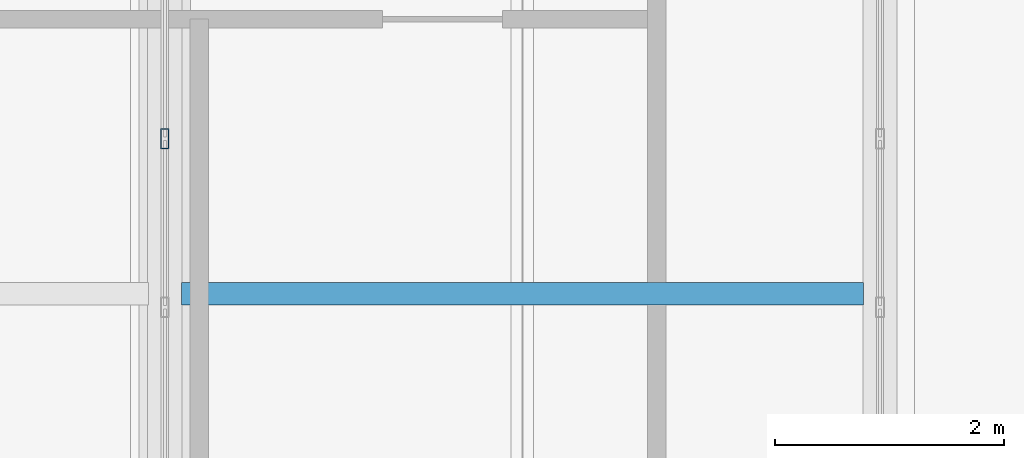
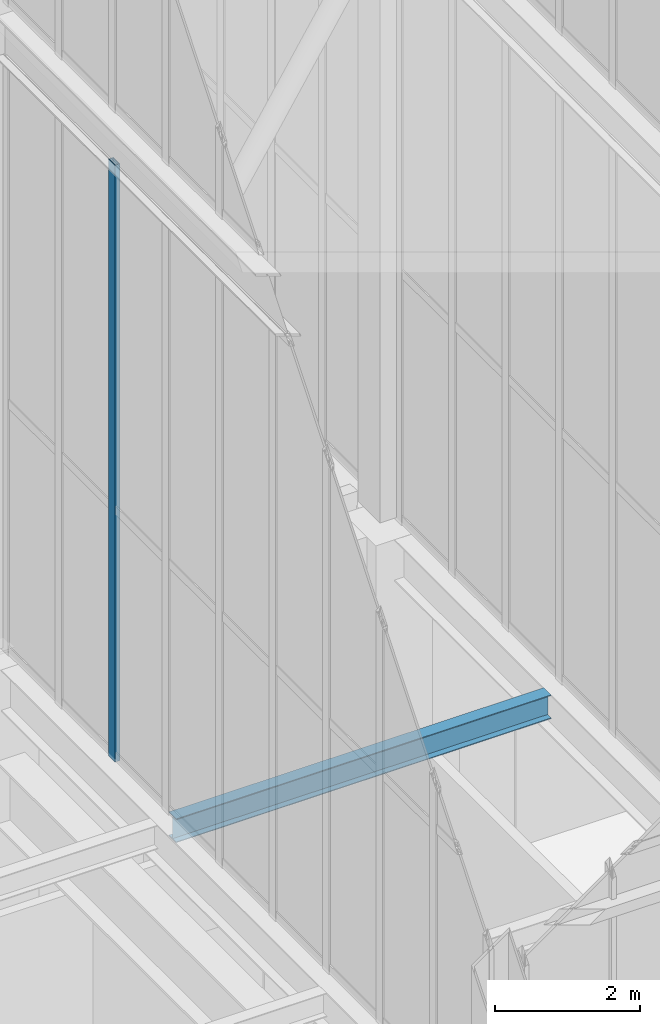
# One storey, part 66 of 135: 1 beam, 1 member, 1 element without a shape of its own.
"""IFC4 building model written with IfcOpenShell, lengths in metres."""

from ifc_helpers import new_model, si_unit, direction, frame, origin, origin_2d, place, context, subcontext, project, spatial, hollow_rectangle, i_section, extrude, source, transform, mapped, material, layer, layer_set, material_profile, profile_set, type_object, element, aggregate, save


model = new_model("IFC4")

# Units and contexts
model_context = context("Model", 3, precision=1e-05, world=origin(), true_north=direction((0.0, 1.0)))
body_context = subcontext(model_context, "Body", "Model", "MODEL_VIEW")
ifc_project = project(units=[si_unit("LENGTHUNIT", "METRE"), si_unit("AREAUNIT", "SQUARE_METRE"), si_unit("VOLUMEUNIT", "CUBIC_METRE"), si_unit("PLANEANGLEUNIT", "RADIAN"), si_unit("MASSUNIT", "GRAM", prefix="KILO")], contexts=[model_context])

# Site, building, storey
site_placement = place(None, origin())
site = spatial("IfcSite", under=ifc_project, at=site_placement, CompositionType="ELEMENT")
building_placement = place(site_placement, origin())
building = spatial("IfcBuilding", under=site, at=building_placement, Name="Giltprow Tower", CompositionType="ELEMENT")
storey_placement = place(building_placement, frame((0.0, 0.0, 352.699951171875)))
storey = spatial("IfcBuildingStorey", under=building, at=storey_placement, Name="L92", CompositionType="ELEMENT", Elevation=352.699951171875)

# Beam
ifc_material_1 = material(Name="Structural steel Q355B", Category="steel")
ifc_material_profile_1 = material_profile(ifc_material_1, i_section(OverallWidth=0.199951171875, OverallDepth=0.39990234375, WebThickness=0.008056640625, FlangeThickness=0.012939453125, at=origin_2d()), Name="HN 400x200x8x13")
ifc_profile_set_1 = profile_set([ifc_material_profile_1], Name="Structural steel Q355B")
beam_type = type_object("IfcBeamType", Name="BM-JOIST-HN400", PredefinedType="JOIST", material=ifc_profile_set_1)
shared_shape_1 = source(origin(), body_context, "Body", "SweptSolid", [
    extrude(i_section(OverallWidth=0.199951171875, OverallDepth=0.39990234375, WebThickness=0.008056640625, FlangeThickness=0.012939453125, at=origin_2d()), origin(), (0.0, 0.0, 1.0), 5.9599609375),
])
beam_placement = place(storey_placement, frame((44.445068359375, 32.800048828125, 5.9599609375), z_axis=(1.0, 0.0, 0.0), x_axis=(0.0, 1.0, 0.0)))
element("IfcBeam", 1, at=beam_placement, inside=storey, type_object=beam_type, Name="L92 Composite Floor Joist 2-4", PredefinedType="JOIST", context=body_context, shape_type="MappedRepresentation", body=[
    mapped(shared_shape_1, transform((0.0, 0.0, 0.0), x_axis=(1.0, 0.0, 0.0), y_axis=(0.0, 1.0, 0.0), z_axis=(0.0, 0.0, 1.0), scale=1.0)),
])

# Curtain wall, member
ifc_material_2 = material(Name="Anodized bronze", Category="metal")
ifc_layer = layer(ifc_material_2, 0.179931640625, Name="Anodized bronze")
ifc_layer_set = layer_set([ifc_layer], Name="Anodized bronze")
curtain_wall_type = type_object("IfcCurtainWallType", Name="CW-CROWN-LANTERN", PredefinedType="NOTDEFINED", material=ifc_layer_set)
curtain_wall_placement = place(storey_placement, origin())
curtain_wall = element("IfcCurtainWall", 2, at=curtain_wall_placement, inside=storey, type_object=curtain_wall_type, Name="Crown East Lower Lantern Glazing 6", PredefinedType="NOTDEFINED")
ifc_material_profile_2 = material_profile(ifc_material_2, hollow_rectangle(XDim=0.074951171875, YDim=0.179931640625, WallThickness=0.008056640625, at=origin_2d()), Name="RHS 180x75x8")
ifc_profile_set_2 = profile_set([ifc_material_profile_2], Name="Anodized bronze")
member_type = type_object("IfcMemberType", Name="CW-MULLION-180x75", PredefinedType="MULLION", material=ifc_profile_set_2)
shared_shape_2 = source(origin(), body_context, "Body", "SweptSolid", [
    extrude(hollow_rectangle(XDim=0.074951171875, YDim=0.179931640625, WallThickness=0.008056640625, at=origin_2d()), origin(), (0.0, 0.0, 1.0), 10.030029296875),
])
member_placement = place(storey_placement, frame((44.300048828125, 34.156005859375, 6.35009765625), z_axis=(0.0, 0.0, 1.0), x_axis=(1.0, 0.0, 0.0)))
member = element("IfcMember", 3, at=member_placement, type_object=member_type, Name="Crown East Lower Lantern Glazing 6 Mullion 3", PredefinedType="MULLION", context=body_context, shape_type="MappedRepresentation", body=[
    mapped(shared_shape_2, transform((0.0, 0.0, 0.0), x_axis=(1.0, 0.0, 0.0), y_axis=(0.0, 1.0, 0.0), z_axis=(0.0, 0.0, 1.0), scale=1.0)),
])
aggregate(curtain_wall, [member])

save(model, "model.ifc")
